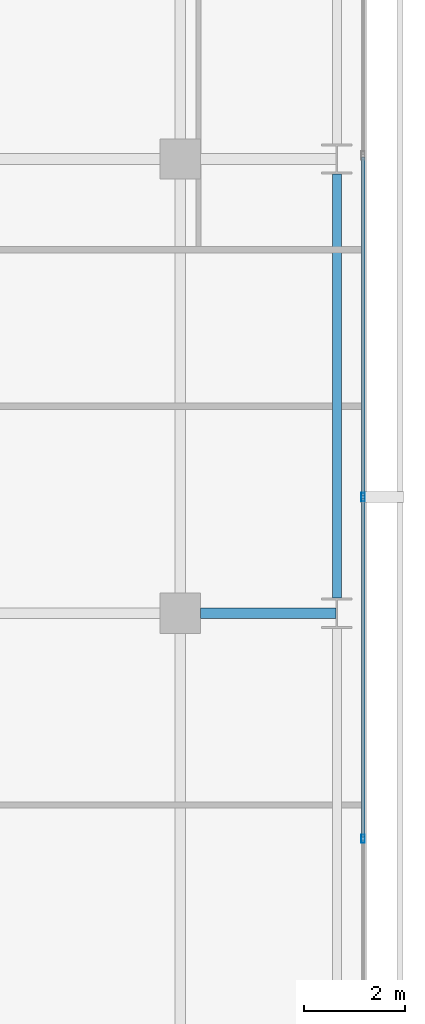
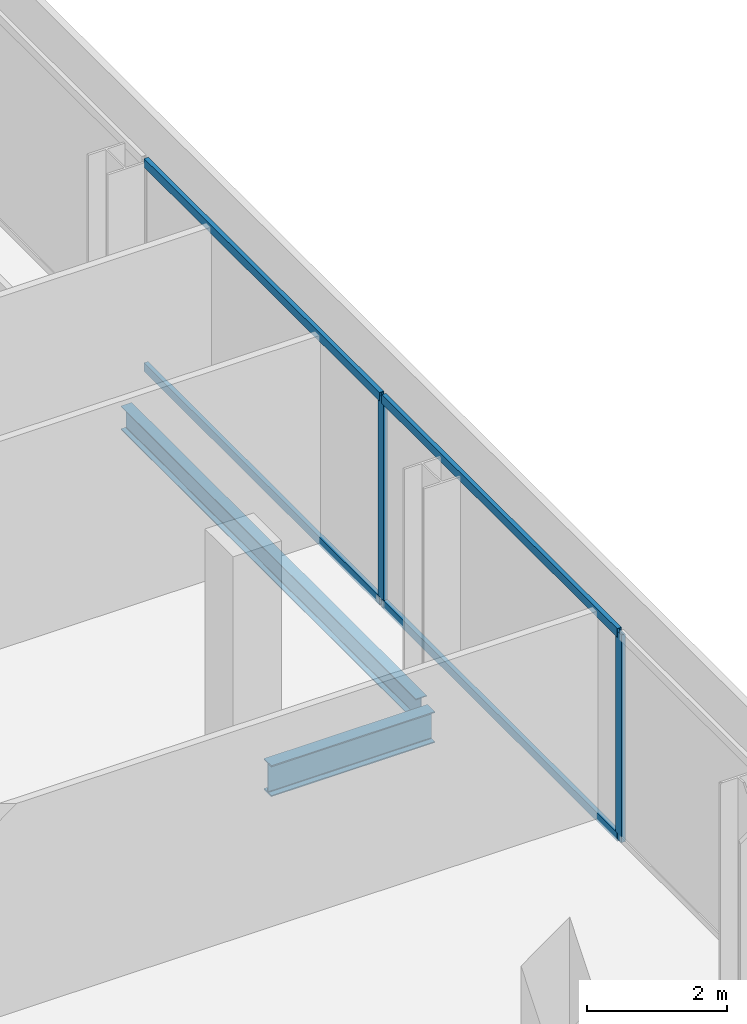
# One storey, part 17 of 32: 6 members, 2 beams, 1 element without a shape of its own.
"""IFC4 building model written with IfcOpenShell, lengths in metres."""

from ifc_helpers import new_model, si_unit, direction, frame, origin, origin_2d, place, context, subcontext, project, spatial, hollow_rectangle, i_section, extrude, material, layer, layer_set, material_profile, profile_set, type_object, element, aggregate, save


model = new_model("IFC4")

# Units and contexts
model_context = context("Model", 3, precision=1e-05, world=origin(), true_north=direction((0.0, 1.0)))
body_context = subcontext(model_context, "Body", "Model", "MODEL_VIEW")
ifc_project = project(units=[si_unit("LENGTHUNIT", "METRE"), si_unit("AREAUNIT", "SQUARE_METRE"), si_unit("VOLUMEUNIT", "CUBIC_METRE"), si_unit("PLANEANGLEUNIT", "RADIAN"), si_unit("MASSUNIT", "GRAM", prefix="KILO")], contexts=[model_context])

# Site, building, storey
site_placement = place(None, origin())
site = spatial("IfcSite", under=ifc_project, at=site_placement, CompositionType="ELEMENT")
building_placement = place(site_placement, origin())
building = spatial("IfcBuilding", under=site, at=building_placement, Name="Maruvema Waterfront Hotel and Observation Tower", CompositionType="ELEMENT")
storey_placement = place(building_placement, frame((0.0, 0.0, 219.800048828125)))
storey = spatial("IfcBuildingStorey", under=building, at=storey_placement, Name="L54", CompositionType="ELEMENT", Elevation=219.800048828125)

# Curtain wall, members
ifc_material_1 = material(Name="Anodised bronze aluminium and solar-control low-E IGU", Category="aluminium")
ifc_layer = layer(ifc_material_1, 0.159912109375, Name="Zone 2 Amber Inner Thermal Curtain Wall System CW-03")
ifc_layer_set = layer_set([ifc_layer], Name="Anodised bronze aluminium and solar-control low-E IGU")
curtain_wall_type = type_object("IfcCurtainWallType", Name="Zone 2 Amber Inner Thermal Curtain Wall System CW-03", PredefinedType="USERDEFINED", material=ifc_layer_set)
curtain_wall_placement = place(storey_placement, origin())
curtain_wall = element("IfcCurtainWall", 1, at=curtain_wall_placement, inside=storey, type_object=curtain_wall_type, Name="L54 Curtain Wall CW-L54-E", ObjectType="UNITISED CURTAIN WALL", PredefinedType="USERDEFINED")
ifc_material_2 = material(Name="Anodised architectural bronze aluminium", Category="aluminium")
ifc_material_profile_1 = material_profile(ifc_material_2, hollow_rectangle(XDim=0.070068359375, YDim=0.14990234375, WallThickness=0.00390625, at=origin_2d()), Name="ALU-T70x150")
ifc_profile_set_1 = profile_set([ifc_material_profile_1], Name="Anodised architectural bronze aluminium")
member_type_1 = type_object("IfcMemberType", Name="Curtain Wall Horizontal Transom ALU-T70x150", PredefinedType="USERDEFINED", material=ifc_profile_set_1)
member_1_placement = place(storey_placement, frame((62.419921875, 22.563232421875, 0.030029296875), z_axis=(0.0, 1.0, 0.0), x_axis=(-1.0, 0.0, 0.0)))
member_1 = element("IfcMember", 2, at=member_1_placement, type_object=member_type_1, Name="CW-03 transom 3.1", ObjectType="TRANSOM", PredefinedType="USERDEFINED", context=body_context, shape_type="SweptSolid", body=[
    extrude(hollow_rectangle(XDim=0.070068359375, YDim=0.14990234375, WallThickness=0.00390625, at=origin_2d()), origin(), (0.0, 0.0, 1.0), 6.706787109375),
])
member_2_placement = place(storey_placement, frame((62.419921875, 22.563232421875, 3.579833984375), z_axis=(0.0, 1.0, 0.0), x_axis=(-1.0, 0.0, 0.0)))
member_2 = element("IfcMember", 3, at=member_2_placement, type_object=member_type_1, Name="CW-03 transom 3.2", ObjectType="TRANSOM", PredefinedType="USERDEFINED", context=body_context, shape_type="SweptSolid", body=[
    extrude(hollow_rectangle(XDim=0.070068359375, YDim=0.14990234375, WallThickness=0.00390625, at=origin_2d()), origin(), (0.0, 0.0, 1.0), 6.706787109375),
])
member_3_placement = place(storey_placement, frame((62.419921875, 29.330078125, 0.030029296875), z_axis=(0.0, 1.0, 0.0), x_axis=(-1.0, 0.0, 0.0)))
member_3 = element("IfcMember", 4, at=member_3_placement, type_object=member_type_1, Name="CW-03 transom 4.1", ObjectType="TRANSOM", PredefinedType="USERDEFINED", context=body_context, shape_type="SweptSolid", body=[
    extrude(hollow_rectangle(XDim=0.070068359375, YDim=0.14990234375, WallThickness=0.00390625, at=origin_2d()), origin(), (0.0, 0.0, 1.0), 6.70654296875),
])
member_4_placement = place(storey_placement, frame((62.419921875, 29.330078125, 3.579833984375), z_axis=(0.0, 1.0, 0.0), x_axis=(-1.0, 0.0, 0.0)))
member_4 = element("IfcMember", 5, at=member_4_placement, type_object=member_type_1, Name="CW-03 transom 4.2", ObjectType="TRANSOM", PredefinedType="USERDEFINED", context=body_context, shape_type="SweptSolid", body=[
    extrude(hollow_rectangle(XDim=0.070068359375, YDim=0.14990234375, WallThickness=0.00390625, at=origin_2d()), origin(), (0.0, 0.0, 1.0), 6.70654296875),
])
ifc_material_3 = material(Name="Anodised architectural bronze aluminium", Category="aluminium")
ifc_material_profile_2 = material_profile(ifc_material_3, hollow_rectangle(XDim=0.06494140625, YDim=0.1650390625, WallThickness=0.00390625, at=origin_2d()), Name="ALU-M65x165")
ifc_profile_set_2 = profile_set([ifc_material_profile_2], Name="Anodised architectural bronze aluminium")
member_type_2 = type_object("IfcMemberType", Name="Curtain Wall Primary Mullion ALU-M65x165", PredefinedType="MULLION", material=ifc_profile_set_2)
member_5_placement = place(storey_placement, frame((62.419921875, 22.533447265625, 0.0), z_axis=(0.0, 0.0, 1.0), x_axis=(-1.0, 0.0, 0.0)))
member_5 = element("IfcMember", 6, at=member_5_placement, type_object=member_type_2, Name="CW-03 mullion 3", PredefinedType="MULLION", context=body_context, shape_type="SweptSolid", body=[
    extrude(hollow_rectangle(XDim=0.06494140625, YDim=0.1650390625, WallThickness=0.00390625, at=origin_2d()), origin(), (0.0, 0.0, 1.0), 3.60986328125),
])
member_6_placement = place(storey_placement, frame((62.419921875, 29.300048828125, 0.0), z_axis=(0.0, 0.0, 1.0), x_axis=(-1.0, 0.0, 0.0)))
member_6 = element("IfcMember", 7, at=member_6_placement, type_object=member_type_2, Name="CW-03 mullion 4", PredefinedType="MULLION", context=body_context, shape_type="SweptSolid", body=[
    extrude(hollow_rectangle(XDim=0.06494140625, YDim=0.1650390625, WallThickness=0.00390625, at=origin_2d()), origin(), (0.0, 0.0, 1.0), 3.60986328125),
])
aggregate(curtain_wall, [member_5, member_6, member_1, member_2, member_3, member_4])

# Beams
ifc_material_4 = material(Name="Steel ASTM A572 Grade 50", Category="steel")
ifc_material_profile_3 = material_profile(ifc_material_4, i_section(OverallWidth=0.178955078125, OverallDepth=0.409912109375, WebThickness=0.0087890625, FlangeThickness=0.014404296875, FilletRadius=0.014892578125, at=origin_2d()), Name="W410x67.0")
ifc_profile_set_3 = profile_set([ifc_material_profile_3], Name="Steel ASTM A572 Grade 50")
beam_type_1 = type_object("IfcBeamType", Name="Perimeter Spandrel Beam W410x67.0", PredefinedType="SPANDREL", material=ifc_profile_set_3)
beam_1_placement = place(storey_placement, frame((61.89990234375, 27.300048828125, -0.445068359375), z_axis=(0.0, 1.0, 0.0), x_axis=(-1.0, 0.0, 0.0)))
element("IfcBeam", 8, at=beam_1_placement, inside=storey, type_object=beam_type_1, Name="L54 Floor Girder NS-31", PredefinedType="SPANDREL", context=body_context, shape_type="SweptSolid", body=[
    extrude(i_section(OverallWidth=0.178955078125, OverallDepth=0.409912109375, WebThickness=0.0087890625, FlangeThickness=0.014404296875, FilletRadius=0.014892578125, at=origin_2d()), origin(), (0.0, 0.0, 1.0), 8.39990234375),
])
ifc_material_5 = material(Name="Steel ASTM A572 Grade 50", Category="steel")
ifc_material_profile_4 = material_profile(ifc_material_5, i_section(OverallWidth=0.2109375, OverallDepth=0.5390625, WebThickness=0.01171875, FlangeThickness=0.018798828125, FilletRadius=0.014892578125, at=origin_2d()), Name="W530x109.0")
ifc_profile_set_4 = profile_set([ifc_material_profile_4], Name="Steel ASTM A572 Grade 50")
beam_type_2 = type_object("IfcBeamType", Name="Primary Floor Girder W530x109.0", PredefinedType="BEAM", material=ifc_profile_set_4)
beam_2_placement = place(storey_placement, frame((59.199951171875, 27.0, -0.509521484375), z_axis=(1.0, 0.0, 0.0), x_axis=(0.0, 1.0, 0.0)))
element("IfcBeam", 9, at=beam_2_placement, inside=storey, type_object=beam_type_2, Name="L54 Floor Girder EW-22", PredefinedType="BEAM", context=body_context, shape_type="SweptSolid", body=[
    extrude(i_section(OverallWidth=0.2109375, OverallDepth=0.5390625, WebThickness=0.01171875, FlangeThickness=0.018798828125, FilletRadius=0.014892578125, at=origin_2d()), origin(), (0.0, 0.0, 1.0), 2.6875),
])

save(model, "model.ifc")
